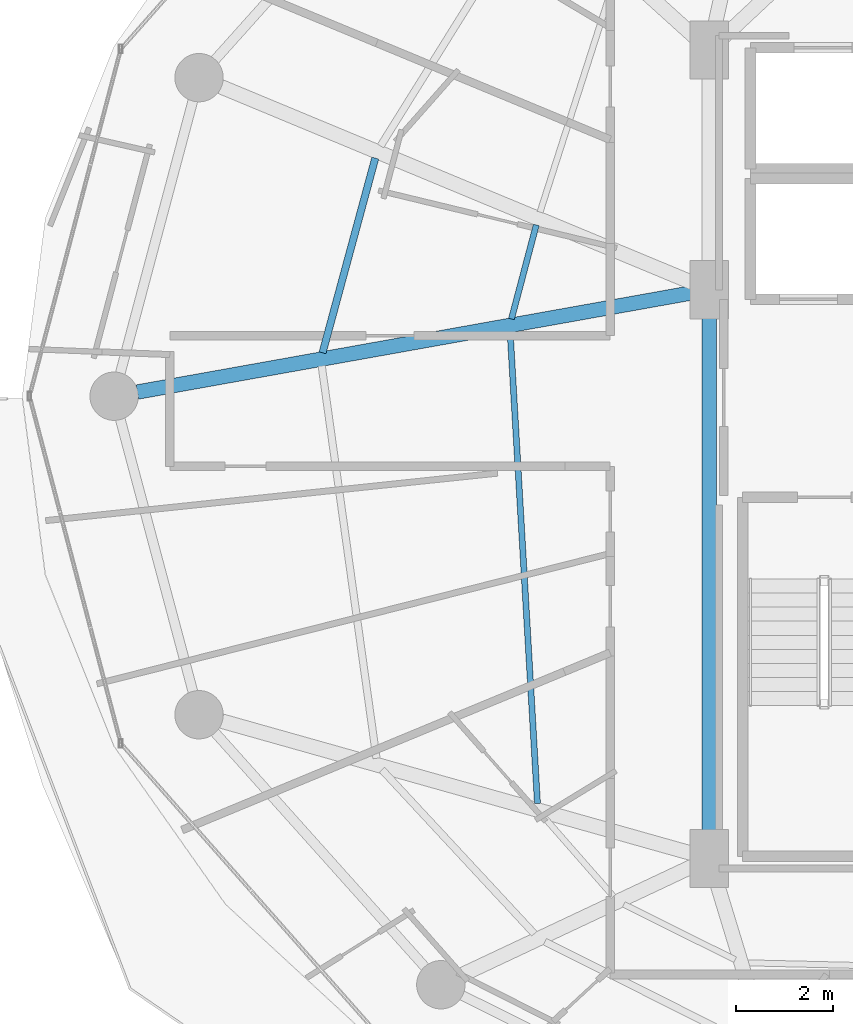
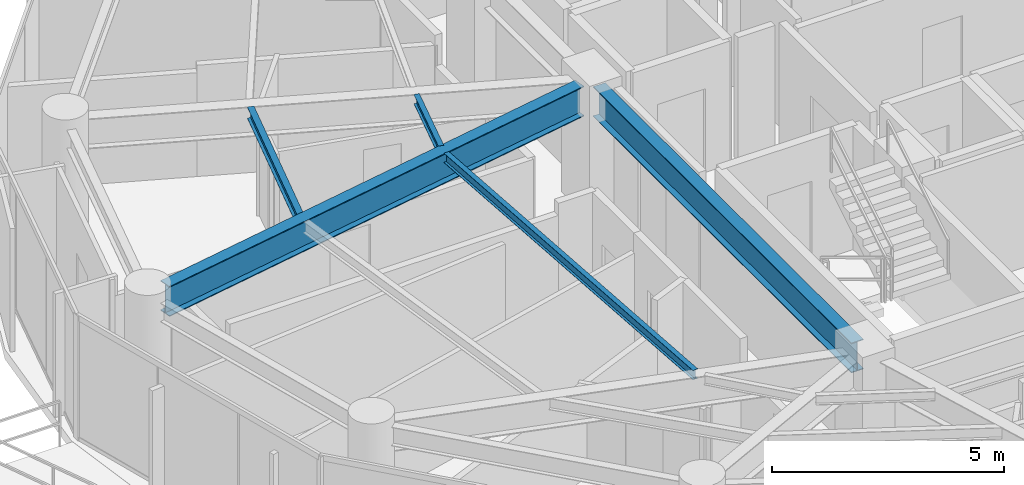
# One storey, part 7 of 28: 5 beams.
"""IFC4 building model written with IfcOpenShell, lengths in metres."""

from ifc_helpers import new_model, si_unit, direction, frame, origin, origin_2d, place, context, subcontext, project, spatial, i_section, extrude, material, material_profile, profile_set, type_object, element, save


model = new_model("IFC4")

# Units and contexts
model_context = context("Model", 3, precision=1e-05, world=origin(), true_north=direction((0.0, 1.0)))
body_context = subcontext(model_context, "Body", "Model", "MODEL_VIEW")
ifc_project = project(units=[si_unit("LENGTHUNIT", "METRE"), si_unit("AREAUNIT", "SQUARE_METRE"), si_unit("VOLUMEUNIT", "CUBIC_METRE"), si_unit("PLANEANGLEUNIT", "RADIAN"), si_unit("MASSUNIT", "GRAM", prefix="KILO")], contexts=[model_context])

# Site, building, storey
site_placement = place(None, origin())
site = spatial("IfcSite", under=ifc_project, at=site_placement, CompositionType="ELEMENT")
building_placement = place(site_placement, origin())
building = spatial("IfcBuilding", under=site, at=building_placement, Name="Vorneva Point Tower", CompositionType="ELEMENT")
storey_placement = place(building_placement, frame((0.0, 0.0, 139.60009765625)))
storey = spatial("IfcBuildingStorey", under=building, at=storey_placement, Name="L37", CompositionType="ELEMENT", Elevation=139.60009765625)

# Beams
ifc_material = material(Name="Steel S355", Category="steel")
ifc_material_profile_1 = material_profile(ifc_material, i_section(OverallWidth=0.300048828125, OverallDepth=0.7880859375, WebThickness=0.014404296875, FlangeThickness=0.02197265625, at=origin_2d()), Name="80Sh1")
ifc_profile_set_1 = profile_set([ifc_material_profile_1], Name="Steel S355")
beam_type_1 = type_object("IfcBeamType", Name="BM-GRD-80Sh1", PredefinedType="USERDEFINED", material=ifc_profile_set_1)
beam_1_placement = place(storey_placement, frame((15.430419921875, 26.0859375, 2.845947265625), z_axis=(0.984378132756, 0.176067293249, 0.0), x_axis=(-0.176067293249, 0.984378132756, 0.0)))
element("IfcBeam", 1, at=beam_1_placement, inside=storey, type_object=beam_type_1, Name="L37 Radial Primary Girder 09", ObjectType="GIRDER", PredefinedType="USERDEFINED", context=body_context, shape_type="SweptSolid", body=[
    extrude(i_section(OverallWidth=0.300048828125, OverallDepth=0.7880859375, WebThickness=0.014404296875, FlangeThickness=0.02197265625, at=origin_2d()), origin(), (0.0, 0.0, 1.0), 11.667236328125),
])
beam_2_placement = place(storey_placement, frame((27.25, 16.77001953125, 2.845947265625), z_axis=(0.0, 1.0, 0.0), x_axis=(-1.0, 0.0, 0.0)))
element("IfcBeam", 2, at=beam_2_placement, inside=storey, type_object=beam_type_1, Name="L37 Core Tie Girder CT1", ObjectType="GIRDER", PredefinedType="USERDEFINED", context=body_context, shape_type="SweptSolid", body=[
    extrude(i_section(OverallWidth=0.300048828125, OverallDepth=0.7880859375, WebThickness=0.014404296875, FlangeThickness=0.02197265625, at=origin_2d()), origin(), (0.0, 0.0, 1.0), 11.10986328125),
])
ifc_material_profile_2 = material_profile(ifc_material, i_section(OverallWidth=0.1240234375, OverallDepth=0.248046875, WebThickness=0.0048828125, FlangeThickness=0.008056640625, at=origin_2d()), Name="25B1")
ifc_profile_set_2 = profile_set([ifc_material_profile_2], Name="Steel S355")
beam_type_2 = type_object("IfcBeamType", Name="BM-JST-25B1", PredefinedType="JOIST", material=ifc_profile_set_2)
beam_3_placement = place(storey_placement, frame((23.673095703125, 29.538330078125, 3.115966796875), z_axis=(-0.255181084238, -0.966893279658, 0.0), x_axis=(0.966893279658, -0.255181084238, 0.0)))
element("IfcBeam", 3, at=beam_3_placement, inside=storey, type_object=beam_type_2, Name="L37 Secondary Floor Beam 2.08", PredefinedType="JOIST", context=body_context, shape_type="SweptSolid", body=[
    extrude(i_section(OverallWidth=0.1240234375, OverallDepth=0.248046875, WebThickness=0.0048828125, FlangeThickness=0.008056640625, at=origin_2d()), origin(), (0.0, 0.0, 1.0), 2.009033203125),
])
beam_4_placement = place(storey_placement, frame((23.13330078125, 27.324462890625, 3.115966796875), z_axis=(0.057859390455, -0.998324742224, 0.0), x_axis=(0.998324742224, 0.057859390455, 0.0)))
element("IfcBeam", 4, at=beam_4_placement, inside=storey, type_object=beam_type_2, Name="L37 Secondary Floor Beam 2.09", PredefinedType="JOIST", context=body_context, shape_type="SweptSolid", body=[
    extrude(i_section(OverallWidth=0.1240234375, OverallDepth=0.248046875, WebThickness=0.0048828125, FlangeThickness=0.008056640625, at=origin_2d()), origin(), (0.0, 0.0, 1.0), 9.755615234375),
])
ifc_material_profile_3 = material_profile(ifc_material, i_section(OverallWidth=0.14892578125, OverallDepth=0.298095703125, WebThickness=0.005615234375, FlangeThickness=0.008056640625, at=origin_2d()), Name="30B1")
ifc_profile_set_3 = profile_set([ifc_material_profile_3], Name="Steel S355")
beam_type_3 = type_object("IfcBeamType", Name="BM-JST-30B1", PredefinedType="JOIST", material=ifc_profile_set_3)
beam_5_placement = place(storey_placement, frame((20.3466796875, 30.92041015625, 3.0908203125), z_axis=(-0.2615064173, -0.965201737312, 0.0), x_axis=(0.965201737312, -0.2615064173, 0.0)))
element("IfcBeam", 5, at=beam_5_placement, inside=storey, type_object=beam_type_3, Name="L37 Secondary Floor Beam 1.08", PredefinedType="JOIST", context=body_context, shape_type="SweptSolid", body=[
    extrude(i_section(OverallWidth=0.14892578125, OverallDepth=0.298095703125, WebThickness=0.005615234375, FlangeThickness=0.008056640625, at=origin_2d()), origin(), (0.0, 0.0, 1.0), 4.16845703125),
])

save(model, "model.ifc")
